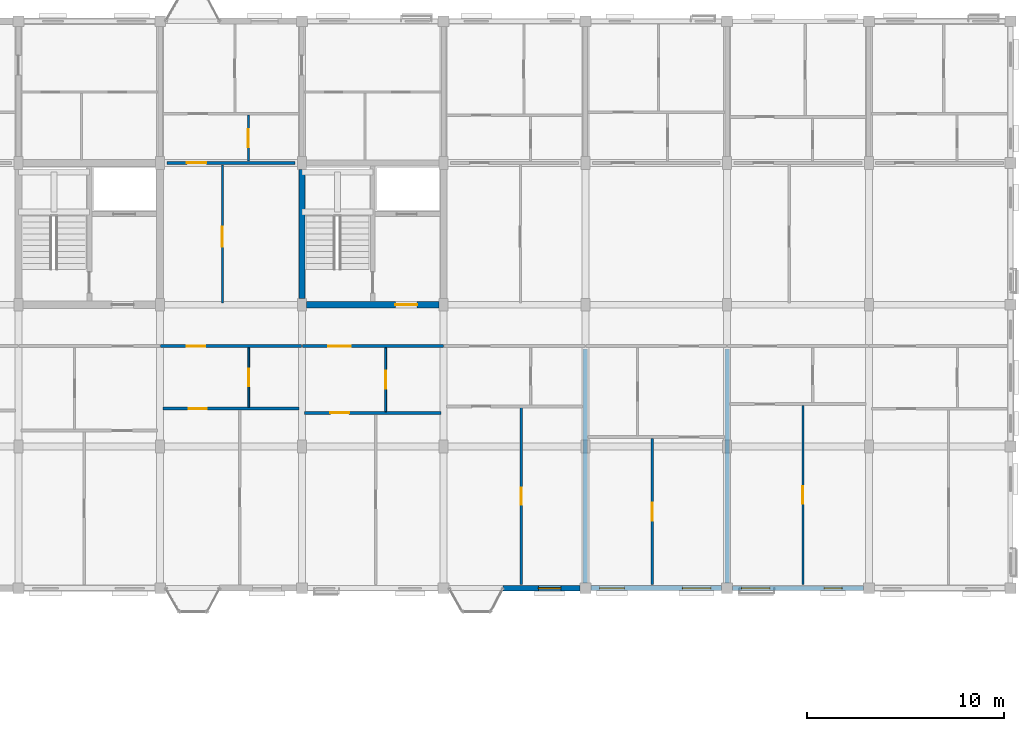
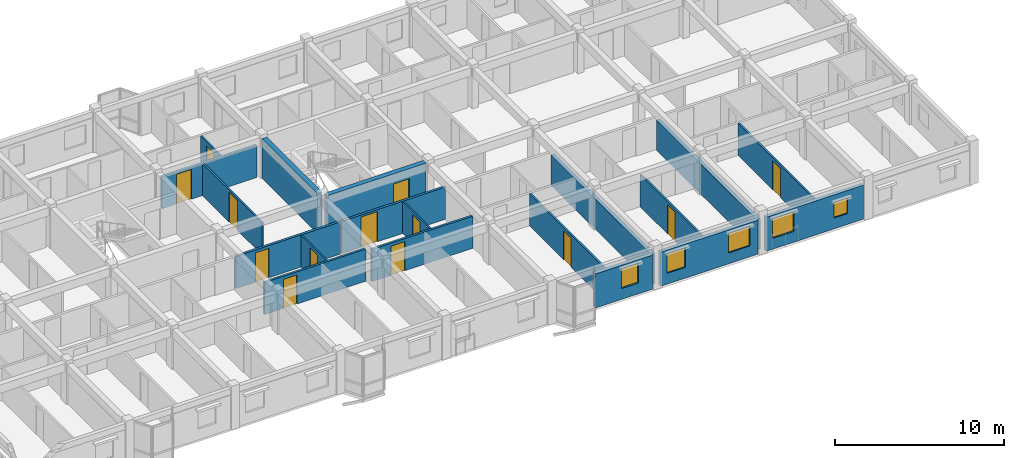
# One storey, part 62 of 75: 19 walls, 13 doors, 5 windows, 18 openings.
"""IFC4 building model written with IfcOpenShell, lengths in metres."""

import ifcopenshell
import ifcopenshell.guid

model = None  # the IFC model being written
_history = None  # IfcOwnerHistory: only IFC2X3 demands one
_inside = {}  # id of a spatial element -> (the spatial element, [elements in it])
_under = {}  # id of a project, library or spatial element -> (it, [spatial elements below it])
_declared = {}  # id of a project -> (the project, [libraries it declares])
_typed = {}  # id of a type object -> (the type object, [elements of that type])
_made_of = {}  # id of a material, layer set ... -> (it, [elements and type objects made of it])


def new_model(schema):
    """Start an empty IFC model of exactly this schema.

    Asked for "IFC4X3", IfcOpenShell would pick the latest addendum, in which some entities
    have other attributes; the version numbers below select the first issue.
    IFC2X3 requires an IfcOwnerHistory on every rooted entity: one is made here for all.
    """
    global model, _history
    if schema == "IFC4X3":
        model = ifcopenshell.file(schema_version=(4, 3, 0, 0))
    else:
        model = ifcopenshell.file(schema=schema)
    _inside.clear()
    _under.clear()
    _declared.clear()
    _typed.clear()
    _made_of.clear()
    _history = None
    if model.schema == "IFC2X3":
        org = make("IfcOrganization", Name="unknown")
        user = make(
            "IfcPersonAndOrganization",
            ThePerson=make("IfcPerson", FamilyName="unknown"),
            TheOrganization=org,
        )
        app = make(
            "IfcApplication",
            ApplicationDeveloper=org,
            Version="unknown",
            ApplicationFullName="unknown",
            ApplicationIdentifier="unknown",
        )
        _history = make(
            "IfcOwnerHistory",
            OwningUser=user,
            OwningApplication=app,
            ChangeAction="ADDED",
            CreationDate=0,
        )
    return model


def make(cls, **values):
    """One entity of the class cls with the attributes given. An attribute that is None is left unset."""
    return model.create_entity(
        cls, **{name: value for name, value in values.items() if value is not None}
    )


def rooted(cls, **values):
    """An entity with a GlobalId (a new one), such as an element, a storey or a relation."""
    return make(cls, GlobalId=ifcopenshell.guid.new(), OwnerHistory=_history, **values)


def si_unit(unit_type, name, prefix=None):
    """IfcSIUnit, for example si_unit("LENGTHUNIT", "METRE", prefix="MILLI")."""
    return make("IfcSIUnit", UnitType=unit_type, Prefix=prefix, Name=name)


def assignment(units):
    """IfcUnitAssignment: the units of a project."""
    return None if units is None else make("IfcUnitAssignment", Units=units)


def point(xyz):
    """IfcCartesianPoint."""
    return None if xyz is None else make("IfcCartesianPoint", Coordinates=xyz)


def direction(xyz):
    """IfcDirection."""
    return None if xyz is None else make("IfcDirection", DirectionRatios=xyz)


def frame(location, z_axis=None, x_axis=None):
    """IfcAxis2Placement3D, a coordinate frame: its origin and axes. An axis left out is left unset."""
    return make(
        "IfcAxis2Placement3D",
        Location=point(location),
        Axis=direction(z_axis),
        RefDirection=direction(x_axis),
    )


def frame_2d(location, x_axis=None):
    """IfcAxis2Placement2D, a coordinate frame in the plane: its origin and x axis."""
    return make(
        "IfcAxis2Placement2D", Location=point(location), RefDirection=direction(x_axis)
    )


def origin():
    """The frame at (0, 0, 0) with its axes left unset."""
    return frame((0.0, 0.0, 0.0))


def place(relative_to, where):
    """IfcLocalPlacement: puts the frame where relative to a parent placement (None: the world)."""
    return make(
        "IfcLocalPlacement", PlacementRelTo=relative_to, RelativePlacement=where
    )


def context(
    kind, dimensions, precision=None, world=None, true_north=None, identifier=None
):
    """IfcGeometricRepresentationContext, for example the 3D "Model" context."""
    return make(
        "IfcGeometricRepresentationContext",
        ContextIdentifier=identifier,
        ContextType=kind,
        CoordinateSpaceDimension=dimensions,
        Precision=precision,
        WorldCoordinateSystem=world,
        TrueNorth=true_north,
    )


def subcontext(parent, identifier, kind, view, scale=None):
    """IfcGeometricRepresentationSubContext, for example "Body" below "Model"."""
    return make(
        "IfcGeometricRepresentationSubContext",
        ContextIdentifier=identifier,
        ContextType=kind,
        ParentContext=parent,
        TargetScale=scale,
        TargetView=view,
    )


def project(units=None, contexts=None):
    """IfcProject with its units and contexts."""
    return rooted(
        "IfcProject",
        Name="project",
        RepresentationContexts=contexts,
        UnitsInContext=assignment(units),
    )


def spatial(cls, under=None, at=None, **own):
    """A site, building, storey or space (cls), placed at a placement, below another one or the project."""
    s = rooted(cls, ObjectPlacement=at, **own)
    if under is not None:
        _under.setdefault(under.id(), (under, []))[1].append(s)
    return s


def profile(cls, at=None, kind="AREA", **sizes):
    """A parametric profile (cls). Its sizes go by their IFC names, for example OverallWidth=200.0."""
    return make(cls, ProfileType=kind, Position=at, **sizes)


def rectangle(**sizes):
    """IfcRectangleProfileDef."""
    return profile("IfcRectangleProfileDef", **sizes)


def extrude(swept, where, along, depth):
    """IfcExtrudedAreaSolid: the profile swept, set in the frame where, extruded along a direction by depth."""
    return make(
        "IfcExtrudedAreaSolid",
        SweptArea=swept,
        Position=where,
        ExtrudedDirection=direction(along),
        Depth=depth,
    )


def shape(context_of_items, identifier, shape_type, items):
    """IfcShapeRepresentation: the items that make up one representation, for example the "Body"."""
    return make(
        "IfcShapeRepresentation",
        ContextOfItems=context_of_items,
        RepresentationIdentifier=identifier,
        RepresentationType=shape_type,
        Items=items,
    )


def material(Name=None, Category=None):
    """IfcMaterial."""
    return make("IfcMaterial", Name=Name, Category=Category)


def layer(
    of_material, thickness, ventilated=None, Name=None, Category=None, Priority=None
):
    """IfcMaterialLayer: one layer of a wall or slab, of a material (None: an air gap)."""
    return make(
        "IfcMaterialLayer",
        Material=of_material,
        LayerThickness=thickness,
        IsVentilated=ventilated,
        Name=Name,
        Category=Category,
        Priority=Priority,
    )


def layer_set(layers, Name=None):
    """IfcMaterialLayerSet."""
    return make("IfcMaterialLayerSet", MaterialLayers=layers, LayerSetName=Name)


def made_of(thing, what):
    """Note that an element or type object is made of a material, layer set ...; save() writes the relation."""
    if what is not None:
        _made_of.setdefault(what.id(), (what, []))[1].append(thing)
    return thing


def type_object(cls, material=None, **own):
    """A type object (cls), such as IfcWallType, which elements share."""
    return made_of(rooted(cls, **own), material)


def element(
    cls,
    number,
    at=None,
    inside=None,
    cuts=None,
    type_object=None,
    material=None,
    context=None,
    identifier="Body",
    shape_type=None,
    held_by="IfcProductDefinitionShape",
    body=None,
    shapes=None,
    **own,
):
    """One element of the class cls, such as IfcWall. Its Tag is "e" and its number.

    at: its placement. inside: the storey or other place that contains it. cuts: it is an
    opening in that element (IfcRelVoidsElement). A single representation is given by context,
    identifier, shape_type and body (its items); several are given by shapes. held_by: the class
    of the entity that holds the representations. save() writes the other relations.
    """
    e = rooted(cls, Tag="e%d" % number, ObjectPlacement=at, **own)
    if body is not None:
        shapes = [shape(context, identifier, shape_type, body)]
    if shapes is not None:
        e.Representation = make(held_by, Representations=shapes)
    if inside is not None:
        _inside.setdefault(inside.id(), (inside, []))[1].append(e)
    if cuts is not None:
        rooted(
            "IfcRelVoidsElement", RelatingBuildingElement=cuts, RelatedOpeningElement=e
        )
    if type_object is not None:
        _typed.setdefault(type_object.id(), (type_object, []))[1].append(e)
    return made_of(e, material)


def fill(opening, filler):
    """IfcRelFillsElement: the door or window that sits in an opening."""
    return rooted(
        "IfcRelFillsElement",
        RelatingOpeningElement=opening,
        RelatedBuildingElement=filler,
    )


def aggregate(whole, parts):
    """IfcRelAggregates: a whole, such as a stair, and the parts it consists of."""
    return rooted("IfcRelAggregates", RelatingObject=whole, RelatedObjects=parts)


def save(model, path):
    """Write the relations noted so far, then the file.

    IfcRelAggregates (storeys below a building ...), IfcRelContainedInSpatialStructure (elements
    in a storey), IfcRelDefinesByType, IfcRelAssociatesMaterial and IfcRelDeclares: one each for
    every whole, place, type object, material and project.
    """
    for whole, parts in _under.values():
        aggregate(whole, parts)
    for where, things in _inside.values():
        rooted(
            "IfcRelContainedInSpatialStructure",
            RelatedElements=things,
            RelatingStructure=where,
        )
    for kind, things in _typed.values():
        rooted("IfcRelDefinesByType", RelatedObjects=things, RelatingType=kind)
    for what, things in _made_of.values():
        rooted("IfcRelAssociatesMaterial", RelatedObjects=things, RelatingMaterial=what)
    for by, libraries in _declared.values():
        rooted("IfcRelDeclares", RelatingContext=by, RelatedDefinitions=libraries)
    model.write(path)


model = new_model("IFC4")

# Units and contexts
model_context = context("Model", 3, precision=1e-05, world=origin(), true_north=direction((0.0, 1.0)))
body_context = subcontext(model_context, "Body", "Model", "MODEL_VIEW")
ifc_project = project(units=[si_unit("LENGTHUNIT", "METRE"), si_unit("AREAUNIT", "SQUARE_METRE"), si_unit("VOLUMEUNIT", "CUBIC_METRE"), si_unit("PLANEANGLEUNIT", "RADIAN"), si_unit("MASSUNIT", "GRAM", prefix="KILO"), si_unit("THERMODYNAMICTEMPERATUREUNIT", "KELVIN"), si_unit("POWERUNIT", "WATT")], contexts=[model_context])

# Site, building, storey
site_placement = place(None, origin())
site = spatial("IfcSite", under=ifc_project, at=site_placement, CompositionType="ELEMENT")
building_placement = place(site_placement, origin())
building = spatial("IfcBuilding", under=site, at=building_placement, Name="Tavuni Mirador Residences", CompositionType="ELEMENT")
storey_placement = place(building_placement, frame((0.0, 0.0, 20.25)))
storey = spatial("IfcBuildingStorey", under=building, at=storey_placement, Name="L06", CompositionType="ELEMENT", Elevation=20.25)

# Wall
ifc_material_1 = material(Name="Precast concrete C40/50", Category="concrete")
ifc_layer_1 = layer(ifc_material_1, 0.320068359375, Name="Precast concrete C40/50", Category="concrete")
ifc_layer_set_1 = layer_set([ifc_layer_1], Name="Precast concrete C40/50")
wall_type_1 = type_object("IfcWallType", Name="WT-COR320", PredefinedType="SHEAR", material=ifc_layer_set_1)
wall_1_placement = place(storey_placement, frame((39.60009765625, 158.72509765625, 0.0), z_axis=(0.0, 0.0, 1.0), x_axis=(0.0, 1.0, 0.0)))
element("IfcWall", 1, at=wall_1_placement, inside=storey, type_object=wall_type_1, Name="CWALL-C6-L06-W", PredefinedType="SHEAR", context=body_context, shape_type="SweptSolid", body=[
    extrude(rectangle(XDim=6.5498046875, YDim=0.320068359375, at=frame_2d((3.27490234375, 0.0))), origin(), (0.0, 0.0, 1.0), 2.885009765625),
])

# Wall, opening, door
wall_2_placement = place(storey_placement, frame((39.824951171875, 158.39990234375, 0.0), z_axis=(0.0, 0.0, 1.0), x_axis=(1.0, 0.0, 0.0)))
wall_2 = element("IfcWall", 2, at=wall_2_placement, inside=storey, type_object=wall_type_1, Name="CWALL-C6-L06-SS", PredefinedType="SHEAR", context=body_context, shape_type="SweptSolid", body=[
    extrude(rectangle(XDim=6.75, YDim=0.320068359375, at=frame_2d((3.375, 0.0))), origin(), (0.0, 0.0, 1.0), 2.885009765625),
])
opening_1_placement = place(wall_2_placement, frame((4.52490234375, 0.0, 0.0)))
opening_1 = element("IfcOpeningElement", 3, at=opening_1_placement, cuts=wall_2, Name="Opening D-02", PredefinedType="OPENING", context=body_context, shape_type="SweptSolid", body=[
    extrude(rectangle(XDim=1.10009765625, YDim=2.14990234375, at=frame_2d((0.550048828125, 1.074951171875))), frame((0.0, 0.169921875, 0.0), z_axis=(0.0, -1.0, 0.0), x_axis=(1.0, 0.0, 0.0)), (0.0, 0.0, 1.0), 0.340087890625),
])
ifc_material_2 = material(Name="Solid core iroko timber", Category="wood")
door_type_1 = type_object("IfcDoorType", Name="DT-LOB1100", OperationType="NOTDEFINED", PredefinedType="DOOR", material=ifc_material_2)
door_1_placement = place(opening_1_placement, frame((1.10009765625, 0.0, 0.0), z_axis=(0.0, 0.0, 1.0), x_axis=(-1.0, 0.0, 0.0)))
door_1 = element("IfcDoor", 4, at=door_1_placement, inside=storey, type_object=door_type_1, Name="DR-2237", OperationType="SINGLE_SWING_LEFT", OverallHeight=2.14990234375, OverallWidth=1.10009765625, PredefinedType="DOOR", context=body_context, shape_type="SweptSolid", body=[
    extrude(rectangle(XDim=1.10009765625, YDim=2.14990234375, at=frame_2d((0.550048828125, 1.074951171875))), frame((0.0, 0.02490234375, 0.0), z_axis=(0.0, -1.0, 0.0), x_axis=(1.0, 0.0, 0.0)), (0.0, 0.0, 1.0), 0.050048828125),
])
fill(opening_1, door_1)

ifc_layer_2 = layer(ifc_material_1, 0.1650390625, Name="Precast concrete C40/50", Category="concrete")
ifc_layer_set_2 = layer_set([ifc_layer_2], Name="Precast concrete C40/50")
wall_type_2 = type_object("IfcWallType", Name="WT-CORR165", PredefinedType="PARTITIONING", material=ifc_layer_set_2)
wall_3_placement = place(storey_placement, frame((32.419921875, 156.300048828125, 0.0), z_axis=(0.0, 0.0, 1.0), x_axis=(1.0, 0.0, 0.0)))
wall_3 = element("IfcWall", 5, at=wall_3_placement, inside=storey, type_object=wall_type_2, Name="CORW-BLK-C-L06-0-03", PredefinedType="PARTITIONING", context=body_context, shape_type="SweptSolid", body=[
    extrude(rectangle(XDim=7.16015625, YDim=0.1650390625, at=frame_2d((3.580078125, 0.0))), origin(), (0.0, 0.0, 1.0), 2.320068359375),
])
opening_2_placement = place(wall_3_placement, frame((1.330078125, 0.0, 0.0)))
opening_2 = element("IfcOpeningElement", 6, at=opening_2_placement, cuts=wall_3, Name="Opening D-19", PredefinedType="OPENING", context=body_context, shape_type="SweptSolid", body=[
    extrude(rectangle(XDim=0.93994140625, YDim=2.1201171875, at=frame_2d((0.469970703125, 1.06005859375))), frame((0.0, 0.092529296875, 0.0), z_axis=(0.0, -1.0, 0.0), x_axis=(1.0, 0.0, 0.0)), (0.0, 0.0, 1.0), 0.18505859375),
])
door_type_2 = type_object("IfcDoorType", Name="DT-FD60-940", OperationType="NOTDEFINED", PredefinedType="DOOR", material=ifc_material_2)
door_2_placement = place(opening_2_placement, origin())
door_2 = element("IfcDoor", 7, at=door_2_placement, inside=storey, type_object=door_type_2, Name="DR-2710", OperationType="SINGLE_SWING_LEFT", OverallHeight=2.1201171875, OverallWidth=0.93994140625, PredefinedType="DOOR", context=body_context, shape_type="SweptSolid", body=[
    extrude(rectangle(XDim=0.93994140625, YDim=2.1201171875, at=frame_2d((0.469970703125, 1.06005859375))), frame((0.0, 0.02490234375, 0.0), z_axis=(0.0, -1.0, 0.0), x_axis=(1.0, 0.0, 0.0)), (0.0, 0.0, 1.0), 0.050048828125),
])
fill(opening_2, door_2)

wall_4_placement = place(storey_placement, frame((39.6201171875, 156.300048828125, 0.0), z_axis=(0.0, 0.0, 1.0), x_axis=(1.0, 0.0, 0.0)))
wall_4 = element("IfcWall", 8, at=wall_4_placement, inside=storey, type_object=wall_type_2, Name="CORW-BLK-C-L06-0-04", PredefinedType="PARTITIONING", context=body_context, shape_type="SweptSolid", body=[
    extrude(rectangle(XDim=7.159912109375, YDim=0.1650390625, at=frame_2d((3.580078125, 0.0))), origin(), (0.0, 0.0, 1.0), 2.320068359375),
])
opening_3_placement = place(wall_4_placement, frame((1.330078125, 0.0, 0.0)))
opening_3 = element("IfcOpeningElement", 9, at=opening_3_placement, cuts=wall_4, Name="Opening D-20", PredefinedType="OPENING", context=body_context, shape_type="SweptSolid", body=[
    extrude(rectangle(XDim=1.139892578125, YDim=2.179931640625, at=frame_2d((0.56982421875, 1.08984375))), frame((0.0, 0.092529296875, 0.0), z_axis=(0.0, -1.0, 0.0), x_axis=(1.0, 0.0, 0.0)), (0.0, 0.0, 1.0), 0.18505859375),
])
door_type_3 = type_object("IfcDoorType", Name="DT-FD60-1140", OperationType="NOTDEFINED", PredefinedType="DOOR", material=ifc_material_2)
door_3_placement = place(opening_3_placement, origin())
door_3 = element("IfcDoor", 10, at=door_3_placement, inside=storey, type_object=door_type_3, Name="DR-2711", OperationType="SINGLE_SWING_RIGHT", OverallHeight=2.179931640625, OverallWidth=1.139892578125, PredefinedType="DOOR", context=body_context, shape_type="SweptSolid", body=[
    extrude(rectangle(XDim=1.139892578125, YDim=2.179931640625, at=frame_2d((0.56982421875, 1.08984375))), frame((0.0, 0.02490234375, 0.0), z_axis=(0.0, -1.0, 0.0), x_axis=(1.0, 0.0, 0.0)), (0.0, 0.0, 1.0), 0.050048828125),
])
fill(opening_3, door_3)

wall_5_placement = place(storey_placement, frame((32.75, 165.60009765625, 0.0), z_axis=(0.0, 0.0, 1.0), x_axis=(1.0, 0.0, 0.0)))
wall_5 = element("IfcWall", 11, at=wall_5_placement, inside=storey, type_object=wall_type_2, Name="CORW-BLK-C-L06-1-03", PredefinedType="PARTITIONING", context=body_context, shape_type="SweptSolid", body=[
    extrude(rectangle(XDim=6.5, YDim=0.1650390625, at=frame_2d((3.25, 0.0))), origin(), (0.0, 0.0, 1.0), 2.320068359375),
])
opening_4_placement = place(wall_5_placement, frame((1.0, 0.0, 0.0)))
opening_4 = element("IfcOpeningElement", 12, at=opening_4_placement, cuts=wall_5, Name="Opening D-03", PredefinedType="OPENING", context=body_context, shape_type="SweptSolid", body=[
    extrude(rectangle(XDim=1.0, YDim=2.14990234375, at=frame_2d((0.5, 1.074951171875))), frame((0.0, 0.092529296875, 0.0), z_axis=(0.0, -1.0, 0.0), x_axis=(1.0, 0.0, 0.0)), (0.0, 0.0, 1.0), 0.18505859375),
])
door_type_4 = type_object("IfcDoorType", Name="DT-FD60-1000", OperationType="NOTDEFINED", PredefinedType="DOOR", material=ifc_material_2)
door_4_placement = place(opening_4_placement, origin())
door_4 = element("IfcDoor", 13, at=door_4_placement, inside=storey, type_object=door_type_4, Name="DR-2718", OperationType="SINGLE_SWING_LEFT", OverallHeight=2.14990234375, OverallWidth=1.0, PredefinedType="DOOR", context=body_context, shape_type="SweptSolid", body=[
    extrude(rectangle(XDim=1.0, YDim=2.14990234375, at=frame_2d((0.5, 1.074951171875))), frame((0.0, 0.02490234375, 0.0), z_axis=(0.0, -1.0, 0.0), x_axis=(1.0, 0.0, 0.0)), (0.0, 0.0, 1.0), 0.050048828125),
])
fill(opening_4, door_4)

# Wall, openings, windows
ifc_material_3 = material(Name="Sgraffito lime-rendered precast concrete C40/50", Category="concrete")
ifc_layer_3 = layer(ifc_material_3, 0.2451171875, Name="Sgraffito lime-rendered precast concrete C40/50", Category="concrete")
ifc_layer_set_3 = layer_set([ifc_layer_3], Name="Sgraffito lime-rendered precast concrete C40/50")
wall_type_3 = type_object("IfcWallType", Name="WT-EXT-PC245", PredefinedType="SOLIDWALL", material=ifc_layer_set_3)
wall_6_placement = place(storey_placement, frame((61.47509765625, 144.0, 0.0), z_axis=(0.0, 0.0, 1.0), x_axis=(1.0, 0.0, 0.0)))
wall_6 = element("IfcWall", 14, at=wall_6_placement, inside=storey, type_object=wall_type_3, Name="EW-BLK-C-L06-S07", PredefinedType="SOLIDWALL", context=body_context, shape_type="SweptSolid", body=[
    extrude(rectangle(XDim=6.64990234375, YDim=0.2451171875, at=frame_2d((3.324951171875, 0.0))), origin(), (0.0, 0.0, 1.0), 2.455078125),
])
opening_5_placement = place(wall_6_placement, frame((0.449951171875, 0.0, 0.780029296875)))
opening_5 = element("IfcOpeningElement", 15, at=opening_5_placement, cuts=wall_6, Name="Opening WN-30", PredefinedType="OPENING", context=body_context, shape_type="SweptSolid", body=[
    extrude(rectangle(XDim=1.449951171875, YDim=1.43994140625, at=frame_2d((0.72509765625, 0.719970703125))), frame((0.0, 0.132568359375, 0.0), z_axis=(0.0, -1.0, 0.0), x_axis=(1.0, 0.0, 0.0)), (0.0, 0.0, 1.0), 0.26513671875),
])
opening_6_placement = place(wall_6_placement, frame((4.64990234375, 0.0, 0.780029296875)))
opening_6 = element("IfcOpeningElement", 16, at=opening_6_placement, cuts=wall_6, Name="Opening WN-02", PredefinedType="OPENING", context=body_context, shape_type="SweptSolid", body=[
    extrude(rectangle(XDim=0.919921875, YDim=1.14990234375, at=frame_2d((0.4599609375, 0.574951171875))), frame((0.0, 0.132568359375, 0.0), z_axis=(0.0, -1.0, 0.0), x_axis=(1.0, 0.0, 0.0)), (0.0, 0.0, 1.0), 0.26513671875),
])
ifc_material_4 = material(Name="Laminated solar-control glass", Category="glass")
window_type_1 = type_object("IfcWindowType", Name="WNT-02", PartitioningType="SINGLE_PANEL", PredefinedType="WINDOW", material=ifc_material_4)
window_1_placement = place(opening_6_placement, origin())
window_1 = element("IfcWindow", 17, at=window_1_placement, inside=storey, type_object=window_type_1, Name="WIN-1104", OverallHeight=1.14990234375, OverallWidth=0.919921875, PartitioningType="SINGLE_PANEL", PredefinedType="WINDOW", context=body_context, shape_type="SweptSolid", body=[
    extrude(rectangle(XDim=0.919921875, YDim=1.14990234375, at=frame_2d((0.4599609375, 0.574951171875))), frame((0.0, 0.030029296875, 0.0), z_axis=(0.0, -1.0, 0.0), x_axis=(1.0, 0.0, 0.0)), (0.0, 0.0, 1.0), 0.06005859375),
])
fill(opening_6, window_1)
window_type_2 = type_object("IfcWindowType", Name="WNT-30", PartitioningType="SINGLE_PANEL", PredefinedType="WINDOW", material=ifc_material_4)
window_2_placement = place(opening_5_placement, origin())
window_2 = element("IfcWindow", 18, at=window_2_placement, inside=storey, type_object=window_type_2, Name="WIN-1103", OverallHeight=1.43994140625, OverallWidth=1.449951171875, PartitioningType="SINGLE_PANEL", PredefinedType="WINDOW", context=body_context, shape_type="SweptSolid", body=[
    extrude(rectangle(XDim=1.449951171875, YDim=1.43994140625, at=frame_2d((0.72509765625, 0.719970703125))), frame((0.0, 0.030029296875, 0.0), z_axis=(0.0, -1.0, 0.0), x_axis=(1.0, 0.0, 0.0)), (0.0, 0.0, 1.0), 0.06005859375),
])
fill(opening_5, window_2)

ifc_layer_4 = layer(ifc_material_3, 0.2548828125, Name="Sgraffito lime-rendered precast concrete C40/50", Category="concrete")
ifc_layer_set_4 = layer_set([ifc_layer_4], Name="Sgraffito lime-rendered precast concrete C40/50")
wall_type_4 = type_object("IfcWallType", Name="WT-EXT-PC255", PredefinedType="SOLIDWALL", material=ifc_layer_set_4)
wall_7_placement = place(storey_placement, frame((54.27490234375, 144.0, 0.0), z_axis=(0.0, 0.0, 1.0), x_axis=(1.0, 0.0, 0.0)))
wall_7 = element("IfcWall", 19, at=wall_7_placement, inside=storey, type_object=wall_type_4, Name="EW-BLK-C-L06-S06", PredefinedType="SOLIDWALL", context=body_context, shape_type="SweptSolid", body=[
    extrude(rectangle(XDim=6.650146484375, YDim=0.2548828125, at=frame_2d((3.3251953125, 0.0))), origin(), (0.0, 0.0, 1.0), 2.455078125),
])
opening_7_placement = place(wall_7_placement, frame((0.449951171875, 0.0, 0.780029296875)))
opening_7 = element("IfcOpeningElement", 20, at=opening_7_placement, cuts=wall_7, Name="Opening WN-28", PredefinedType="OPENING", context=body_context, shape_type="SweptSolid", body=[
    extrude(rectangle(XDim=1.25, YDim=1.43994140625, at=frame_2d((0.625, 0.719970703125))), frame((0.0, 0.137451171875, 0.0), z_axis=(0.0, -1.0, 0.0), x_axis=(1.0, 0.0, 0.0)), (0.0, 0.0, 1.0), 0.27490234375),
])
opening_8_placement = place(wall_7_placement, frame((4.64990234375, 0.0, 0.780029296875)))
opening_8 = element("IfcOpeningElement", 21, at=opening_8_placement, cuts=wall_7, Name="Opening WN-30", PredefinedType="OPENING", context=body_context, shape_type="SweptSolid", body=[
    extrude(rectangle(XDim=1.449951171875, YDim=1.43994140625, at=frame_2d((0.72509765625, 0.719970703125))), frame((0.0, 0.137451171875, 0.0), z_axis=(0.0, -1.0, 0.0), x_axis=(1.0, 0.0, 0.0)), (0.0, 0.0, 1.0), 0.27490234375),
])
window_type_3 = type_object("IfcWindowType", Name="WNT-28", PartitioningType="SINGLE_PANEL", PredefinedType="WINDOW", material=ifc_material_4)
window_3_placement = place(opening_7_placement, origin())
window_3 = element("IfcWindow", 22, at=window_3_placement, inside=storey, type_object=window_type_3, Name="WIN-1101", OverallHeight=1.43994140625, OverallWidth=1.25, PartitioningType="SINGLE_PANEL", PredefinedType="WINDOW", context=body_context, shape_type="SweptSolid", body=[
    extrude(rectangle(XDim=1.25, YDim=1.43994140625, at=frame_2d((0.625, 0.719970703125))), frame((0.0, 0.030029296875, 0.0), z_axis=(0.0, -1.0, 0.0), x_axis=(1.0, 0.0, 0.0)), (0.0, 0.0, 1.0), 0.06005859375),
])
fill(opening_7, window_3)
window_4_placement = place(opening_8_placement, origin())
window_4 = element("IfcWindow", 23, at=window_4_placement, inside=storey, type_object=window_type_2, Name="WIN-1102", OverallHeight=1.43994140625, OverallWidth=1.449951171875, PartitioningType="SINGLE_PANEL", PredefinedType="WINDOW", context=body_context, shape_type="SweptSolid", body=[
    extrude(rectangle(XDim=1.449951171875, YDim=1.43994140625, at=frame_2d((0.72509765625, 0.719970703125))), frame((0.0, 0.030029296875, 0.0), z_axis=(0.0, -1.0, 0.0), x_axis=(1.0, 0.0, 0.0)), (0.0, 0.0, 1.0), 0.06005859375),
])
fill(opening_8, window_4)

# Wall, opening, window
ifc_layer_5 = layer(ifc_material_3, 0.27490234375, Name="Sgraffito lime-rendered precast concrete C40/50", Category="concrete")
ifc_layer_set_5 = layer_set([ifc_layer_5], Name="Sgraffito lime-rendered precast concrete C40/50")
wall_type_5 = type_object("IfcWallType", Name="WT-EXT-PC275", PredefinedType="SOLIDWALL", material=ifc_layer_set_5)
wall_8_placement = place(storey_placement, frame((49.820068359375, 144.0, 0.0), z_axis=(0.0, 0.0, 1.0), x_axis=(1.0, 0.0, 0.0)))
wall_8 = element("IfcWall", 24, at=wall_8_placement, inside=storey, type_object=wall_type_5, Name="EW-BLK-C-L06-S05", PredefinedType="SOLIDWALL", context=body_context, shape_type="SweptSolid", body=[
    extrude(rectangle(XDim=3.905029296875, YDim=0.27490234375, at=frame_2d((1.95263671875, 0.0))), origin(), (0.0, 0.0, 1.0), 2.455078125),
])
opening_9_placement = place(wall_8_placement, frame((1.78759765625, 0.0, 0.780029296875)))
opening_9 = element("IfcOpeningElement", 25, at=opening_9_placement, cuts=wall_8, Name="Opening WN-27", PredefinedType="OPENING", context=body_context, shape_type="SweptSolid", body=[
    extrude(rectangle(XDim=1.14990234375, YDim=1.43994140625, at=frame_2d((0.574951171875, 0.719970703125))), frame((0.0, 0.1474609375, 0.0), z_axis=(0.0, -1.0, 0.0), x_axis=(1.0, 0.0, 0.0)), (0.0, 0.0, 1.0), 0.294921875),
])
window_type_4 = type_object("IfcWindowType", Name="WNT-27", PartitioningType="SINGLE_PANEL", PredefinedType="WINDOW", material=ifc_material_4)
window_5_placement = place(opening_9_placement, origin())
window_5 = element("IfcWindow", 26, at=window_5_placement, inside=storey, type_object=window_type_4, Name="WIN-1100", OverallHeight=1.43994140625, OverallWidth=1.14990234375, PartitioningType="SINGLE_PANEL", PredefinedType="WINDOW", context=body_context, shape_type="SweptSolid", body=[
    extrude(rectangle(XDim=1.14990234375, YDim=1.43994140625, at=frame_2d((0.574951171875, 0.719970703125))), frame((0.0, 0.030029296875, 0.0), z_axis=(0.0, -1.0, 0.0), x_axis=(1.0, 0.0, 0.0)), (0.0, 0.0, 1.0), 0.06005859375),
])
fill(opening_9, window_5)

# Wall, opening, door
ifc_material_5 = material(Name="Acoustic gypsum and concrete block partition", Category="concrete")
ifc_layer_6 = layer(ifc_material_5, 0.094970703125, Name="Acoustic gypsum and concrete block partition", Category="concrete")
ifc_layer_set_6 = layer_set([ifc_layer_6], Name="Acoustic gypsum and concrete block partition")
wall_type_6 = type_object("IfcWallType", Name="WT-PART095", PredefinedType="PARTITIONING", material=ifc_layer_set_6)
wall_9_placement = place(storey_placement, frame((36.89990234375, 153.18994140625, 0.0), z_axis=(0.0, 0.0, 1.0), x_axis=(0.0, 1.0, 0.0)))
wall_9 = element("IfcWall", 27, at=wall_9_placement, inside=storey, type_object=wall_type_6, Name="PW-BLK-C-L06-S03-IN1", PredefinedType="PARTITIONING", context=body_context, shape_type="SweptSolid", body=[
    extrude(rectangle(XDim=3.02001953125, YDim=0.094970703125, at=frame_2d((1.510009765625, 0.0))), origin(), (0.0, 0.0, 1.0), 2.320068359375),
])
opening_10_placement = place(wall_9_placement, frame((1.074951171875, 0.0, 0.0)))
opening_10 = element("IfcOpeningElement", 28, at=opening_10_placement, cuts=wall_9, Name="Opening D-10", PredefinedType="OPENING", context=body_context, shape_type="SweptSolid", body=[
    extrude(rectangle(XDim=0.8701171875, YDim=2.050048828125, at=frame_2d((0.43505859375, 1.02490234375))), frame((0.0, 0.0576171875, 0.0), z_axis=(0.0, -1.0, 0.0), x_axis=(1.0, 0.0, 0.0)), (0.0, 0.0, 1.0), 0.114990234375),
])
door_type_5 = type_object("IfcDoorType", Name="DT-WC870", OperationType="NOTDEFINED", PredefinedType="DOOR", material=ifc_material_2)
door_5_placement = place(opening_10_placement, origin())
door_5 = element("IfcDoor", 29, at=door_5_placement, inside=storey, type_object=door_type_5, Name="DR-3981", OperationType="SINGLE_SWING_RIGHT", OverallHeight=2.050048828125, OverallWidth=0.8701171875, PredefinedType="DOOR", context=body_context, shape_type="SweptSolid", body=[
    extrude(rectangle(XDim=0.8701171875, YDim=2.050048828125, at=frame_2d((0.43505859375, 1.02490234375))), frame((0.0, 0.02490234375, 0.0), z_axis=(0.0, -1.0, 0.0), x_axis=(1.0, 0.0, 0.0)), (0.0, 0.0, 1.0), 0.050048828125),
])
fill(opening_10, door_5)

wall_10_placement = place(storey_placement, frame((43.85009765625, 152.969970703125, 0.0), z_axis=(0.0, 0.0, 1.0), x_axis=(0.0, 1.0, 0.0)))
wall_10 = element("IfcWall", 30, at=wall_10_placement, inside=storey, type_object=wall_type_6, Name="PW-BLK-C-L06-S04-IN1", PredefinedType="PARTITIONING", context=body_context, shape_type="SweptSolid", body=[
    extrude(rectangle(XDim=3.239990234375, YDim=0.094970703125, at=frame_2d((1.6201171875, 0.0))), origin(), (0.0, 0.0, 1.0), 2.320068359375),
])
opening_11_placement = place(wall_10_placement, frame((1.169921875, 0.0, 0.0)))
opening_11 = element("IfcOpeningElement", 31, at=opening_11_placement, cuts=wall_10, Name="Opening D-09", PredefinedType="OPENING", context=body_context, shape_type="SweptSolid", body=[
    extrude(rectangle(XDim=0.89990234375, YDim=2.050048828125, at=frame_2d((0.449951171875, 1.02490234375))), frame((0.0, 0.0576171875, 0.0), z_axis=(0.0, -1.0, 0.0), x_axis=(1.0, 0.0, 0.0)), (0.0, 0.0, 1.0), 0.114990234375),
])
door_type_6 = type_object("IfcDoorType", Name="DT-WC900", OperationType="NOTDEFINED", PredefinedType="DOOR", material=ifc_material_2)
door_6_placement = place(opening_11_placement, origin())
door_6 = element("IfcDoor", 32, at=door_6_placement, inside=storey, type_object=door_type_6, Name="DR-3987", OperationType="SINGLE_SWING_LEFT", OverallHeight=2.050048828125, OverallWidth=0.89990234375, PredefinedType="DOOR", context=body_context, shape_type="SweptSolid", body=[
    extrude(rectangle(XDim=0.89990234375, YDim=2.050048828125, at=frame_2d((0.449951171875, 1.02490234375))), frame((0.0, 0.02490234375, 0.0), z_axis=(0.0, -1.0, 0.0), x_axis=(1.0, 0.0, 0.0)), (0.0, 0.0, 1.0), 0.050048828125),
])
fill(opening_11, door_6)

ifc_layer_7 = layer(ifc_material_5, 0.10498046875, Name="Acoustic gypsum and concrete block partition", Category="concrete")
ifc_layer_set_7 = layer_set([ifc_layer_7], Name="Acoustic gypsum and concrete block partition")
wall_type_7 = type_object("IfcWallType", Name="WT-PART105", PredefinedType="PARTITIONING", material=ifc_layer_set_7)
wall_11_placement = place(storey_placement, frame((36.8798828125, 165.68994140625, 0.0), z_axis=(0.0, 0.0, 1.0), x_axis=(0.0, 1.0, 0.0)))
wall_11 = element("IfcWall", 33, at=wall_11_placement, inside=storey, type_object=wall_type_7, Name="PW-BLK-C-L06-N03-IN1", PredefinedType="PARTITIONING", context=body_context, shape_type="SweptSolid", body=[
    extrude(rectangle(XDim=2.340087890625, YDim=0.10498046875, at=frame_2d((1.169921875, 0.0))), origin(), (0.0, 0.0, 1.0), 2.320068359375),
])
opening_12_placement = place(wall_11_placement, frame((0.719970703125, 0.0, 0.0)))
opening_12 = element("IfcOpeningElement", 34, at=opening_12_placement, cuts=wall_11, Name="Opening D-09", PredefinedType="OPENING", context=body_context, shape_type="SweptSolid", body=[
    extrude(rectangle(XDim=0.89990234375, YDim=2.050048828125, at=frame_2d((0.449951171875, 1.02490234375))), frame((0.0, 0.0625, 0.0), z_axis=(0.0, -1.0, 0.0), x_axis=(1.0, 0.0, 0.0)), (0.0, 0.0, 1.0), 0.125),
])
door_7_placement = place(opening_12_placement, origin())
door_7 = element("IfcDoor", 35, at=door_7_placement, inside=storey, type_object=door_type_6, Name="DR-3984", OperationType="SINGLE_SWING_LEFT", OverallHeight=2.050048828125, OverallWidth=0.89990234375, PredefinedType="DOOR", context=body_context, shape_type="SweptSolid", body=[
    extrude(rectangle(XDim=0.89990234375, YDim=2.050048828125, at=frame_2d((0.449951171875, 1.02490234375))), frame((0.0, 0.02490234375, 0.0), z_axis=(0.0, -1.0, 0.0), x_axis=(1.0, 0.0, 0.0)), (0.0, 0.0, 1.0), 0.050048828125),
])
fill(opening_12, door_7)

ifc_layer_8 = layer(ifc_material_5, 0.114990234375, Name="Acoustic gypsum and concrete block partition", Category="concrete")
ifc_layer_set_8 = layer_set([ifc_layer_8], Name="Acoustic gypsum and concrete block partition")
wall_type_8 = type_object("IfcWallType", Name="WT-PART115", PredefinedType="PARTITIONING", material=ifc_layer_set_8)
wall_12_placement = place(storey_placement, frame((35.56005859375, 158.489990234375, 0.0), z_axis=(0.0, 0.0, 1.0), x_axis=(0.0, 1.0, 0.0)))
wall_12 = element("IfcWall", 36, at=wall_12_placement, inside=storey, type_object=wall_type_8, Name="PW-SPN-BLK-C-L06-03", PredefinedType="PARTITIONING", context=body_context, shape_type="SweptSolid", body=[
    extrude(rectangle(XDim=7.02001953125, YDim=0.114990234375, at=frame_2d((3.510009765625, 0.0))), origin(), (0.0, 0.0, 1.0), 2.320068359375),
])
opening_13_placement = place(wall_12_placement, frame((2.85009765625, 0.0, 0.0)))
opening_13 = element("IfcOpeningElement", 37, at=opening_13_placement, cuts=wall_12, Name="Opening D-13", PredefinedType="OPENING", context=body_context, shape_type="SweptSolid", body=[
    extrude(rectangle(XDim=1.02001953125, YDim=2.14990234375, at=frame_2d((0.510009765625, 1.074951171875))), frame((0.0, 0.0673828125, 0.0), z_axis=(0.0, -1.0, 0.0), x_axis=(1.0, 0.0, 0.0)), (0.0, 0.0, 1.0), 0.135009765625),
])
door_type_7 = type_object("IfcDoorType", Name="DT-MTG1020", OperationType="NOTDEFINED", PredefinedType="DOOR", material=ifc_material_2)
door_8_placement = place(opening_13_placement, origin())
door_8 = element("IfcDoor", 38, at=door_8_placement, inside=storey, type_object=door_type_7, Name="DR-3979", OperationType="SINGLE_SWING_RIGHT", OverallHeight=2.14990234375, OverallWidth=1.02001953125, PredefinedType="DOOR", context=body_context, shape_type="SweptSolid", body=[
    extrude(rectangle(XDim=1.02001953125, YDim=2.14990234375, at=frame_2d((0.510009765625, 1.074951171875))), frame((0.0, 0.02490234375, 0.0), z_axis=(0.0, -1.0, 0.0), x_axis=(1.0, 0.0, 0.0)), (0.0, 0.0, 1.0), 0.050048828125),
])
fill(opening_13, door_8)

wall_13_placement = place(storey_placement, frame((65.050048828125, 144.175048828125, 0.0), z_axis=(0.0, 0.0, 1.0), x_axis=(0.0, 1.0, 0.0)))
wall_13 = element("IfcWall", 39, at=wall_13_placement, inside=storey, type_object=wall_type_8, Name="PW-BLK-C-L06-S07-OUT", PredefinedType="PARTITIONING", context=body_context, shape_type="SweptSolid", body=[
    extrude(rectangle(XDim=9.10498046875, YDim=0.114990234375, at=frame_2d((4.552490234375, 0.0))), origin(), (0.0, 0.0, 1.0), 2.320068359375),
])
opening_14_placement = place(wall_13_placement, frame((4.1025390625, 0.0, 0.0)))
opening_14 = element("IfcOpeningElement", 40, at=opening_14_placement, cuts=wall_13, Name="Opening D-07", PredefinedType="OPENING", context=body_context, shape_type="SweptSolid", body=[
    extrude(rectangle(XDim=0.89990234375, YDim=2.10009765625, at=frame_2d((0.449951171875, 1.050048828125))), frame((0.0, 0.0673828125, 0.0), z_axis=(0.0, -1.0, 0.0), x_axis=(1.0, 0.0, 0.0)), (0.0, 0.0, 1.0), 0.135009765625),
])
door_type_8 = type_object("IfcDoorType", Name="DT-BED900", OperationType="NOTDEFINED", PredefinedType="DOOR", material=ifc_material_2)
door_9_placement = place(opening_14_placement, origin())
door_9 = element("IfcDoor", 41, at=door_9_placement, inside=storey, type_object=door_type_8, Name="DR-4005", OperationType="SINGLE_SWING_RIGHT", OverallHeight=2.10009765625, OverallWidth=0.89990234375, PredefinedType="DOOR", context=body_context, shape_type="SweptSolid", body=[
    extrude(rectangle(XDim=0.89990234375, YDim=2.10009765625, at=frame_2d((0.449951171875, 1.050048828125))), frame((0.0, 0.02490234375, 0.0), z_axis=(0.0, -1.0, 0.0), x_axis=(1.0, 0.0, 0.0)), (0.0, 0.0, 1.0), 0.050048828125),
])
fill(opening_14, door_9)

ifc_layer_9 = layer(ifc_material_5, 0.125, Name="Acoustic gypsum and concrete block partition", Category="concrete")
ifc_layer_set_9 = layer_set([ifc_layer_9], Name="Acoustic gypsum and concrete block partition")
wall_type_9 = type_object("IfcWallType", Name="WT-PART125", PredefinedType="PARTITIONING", material=ifc_layer_set_9)
wall_14_placement = place(storey_placement, frame((50.75, 144.175048828125, 0.0), z_axis=(0.0, 0.0, 1.0), x_axis=(0.0, 1.0, 0.0)))
wall_14 = element("IfcWall", 42, at=wall_14_placement, inside=storey, type_object=wall_type_9, Name="PW-BLK-C-L06-S05-OUT", PredefinedType="PARTITIONING", context=body_context, shape_type="SweptSolid", body=[
    extrude(rectangle(XDim=8.994873046875, YDim=0.125, at=frame_2d((4.49755859375, 0.0))), origin(), (0.0, 0.0, 1.0), 2.320068359375),
])
opening_15_placement = place(wall_14_placement, frame((4.0576171875, 0.0, 0.0)))
opening_15 = element("IfcOpeningElement", 43, at=opening_15_placement, cuts=wall_14, Name="Opening D-08", PredefinedType="OPENING", context=body_context, shape_type="SweptSolid", body=[
    extrude(rectangle(XDim=0.8798828125, YDim=2.080078125, at=frame_2d((0.43994140625, 1.0400390625))), frame((0.0, 0.072509765625, 0.0), z_axis=(0.0, -1.0, 0.0), x_axis=(1.0, 0.0, 0.0)), (0.0, 0.0, 1.0), 0.14501953125),
])
door_type_9 = type_object("IfcDoorType", Name="DT-BED880", OperationType="NOTDEFINED", PredefinedType="DOOR", material=ifc_material_2)
door_10_placement = place(opening_15_placement, origin())
door_10 = element("IfcDoor", 44, at=door_10_placement, inside=storey, type_object=door_type_9, Name="DR-3992", OperationType="SINGLE_SWING_LEFT", OverallHeight=2.080078125, OverallWidth=0.8798828125, PredefinedType="DOOR", context=body_context, shape_type="SweptSolid", body=[
    extrude(rectangle(XDim=0.8798828125, YDim=2.080078125, at=frame_2d((0.43994140625, 1.0400390625))), frame((0.0, 0.02490234375, 0.0), z_axis=(0.0, -1.0, 0.0), x_axis=(1.0, 0.0, 0.0)), (0.0, 0.0, 1.0), 0.050048828125),
])
fill(opening_15, door_10)

wall_15_placement = place(storey_placement, frame((57.39990234375, 144.175048828125, 0.0), z_axis=(0.0, 0.0, 1.0), x_axis=(0.0, 1.0, 0.0)))
wall_15 = element("IfcWall", 45, at=wall_15_placement, inside=storey, type_object=wall_type_9, Name="PW-BLK-C-L06-S06-OUT", PredefinedType="PARTITIONING", context=body_context, shape_type="SweptSolid", body=[
    extrude(rectangle(XDim=7.425048828125, YDim=0.125, at=frame_2d((3.71240234375, 0.0))), origin(), (0.0, 0.0, 1.0), 2.320068359375),
])
opening_16_placement = place(wall_15_placement, frame((3.262451171875, 0.0, 0.0)))
opening_16 = element("IfcOpeningElement", 46, at=opening_16_placement, cuts=wall_15, Name="Opening D-07", PredefinedType="OPENING", context=body_context, shape_type="SweptSolid", body=[
    extrude(rectangle(XDim=0.89990234375, YDim=2.10009765625, at=frame_2d((0.449951171875, 1.050048828125))), frame((0.0, 0.072509765625, 0.0), z_axis=(0.0, -1.0, 0.0), x_axis=(1.0, 0.0, 0.0)), (0.0, 0.0, 1.0), 0.14501953125),
])
door_11_placement = place(opening_16_placement, origin())
door_11 = element("IfcDoor", 47, at=door_11_placement, inside=storey, type_object=door_type_8, Name="DR-3998", OperationType="SINGLE_SWING_RIGHT", OverallHeight=2.10009765625, OverallWidth=0.89990234375, PredefinedType="DOOR", context=body_context, shape_type="SweptSolid", body=[
    extrude(rectangle(XDim=0.89990234375, YDim=2.10009765625, at=frame_2d((0.449951171875, 1.050048828125))), frame((0.0, 0.02490234375, 0.0), z_axis=(0.0, -1.0, 0.0), x_axis=(1.0, 0.0, 0.0)), (0.0, 0.0, 1.0), 0.050048828125),
])
fill(opening_16, door_11)

ifc_layer_10 = layer(ifc_material_5, 0.14990234375, Name="Acoustic gypsum and concrete block partition", Category="concrete")
ifc_layer_set_10 = layer_set([ifc_layer_10], Name="Acoustic gypsum and concrete block partition")
wall_type_10 = type_object("IfcWallType", Name="WT-PART150", PredefinedType="PARTITIONING", material=ifc_layer_set_10)
wall_16_placement = place(storey_placement, frame((32.5400390625, 153.1201171875, 0.0), z_axis=(0.0, 0.0, 1.0), x_axis=(1.0, 0.0, 0.0)))
wall_16 = element("IfcWall", 48, at=wall_16_placement, inside=storey, type_object=wall_type_10, Name="PW-BLK-C-L06-S03-MID", PredefinedType="PARTITIONING", context=body_context, shape_type="SweptSolid", body=[
    extrude(rectangle(XDim=6.919921875, YDim=0.14990234375, at=frame_2d((3.4599609375, 0.0))), origin(), (0.0, 0.0, 1.0), 2.320068359375),
])
opening_17_placement = place(wall_16_placement, frame((1.31005859375, 0.0, 0.0)))
opening_17 = element("IfcOpeningElement", 49, at=opening_17_placement, cuts=wall_16, Name="Opening D-06", PredefinedType="OPENING", context=body_context, shape_type="SweptSolid", body=[
    extrude(rectangle(XDim=0.919921875, YDim=2.10009765625, at=frame_2d((0.4599609375, 1.050048828125))), frame((0.0, 0.0849609375, 0.0), z_axis=(0.0, -1.0, 0.0), x_axis=(1.0, 0.0, 0.0)), (0.0, 0.0, 1.0), 0.169921875),
])
door_type_10 = type_object("IfcDoorType", Name="DT-INT920", OperationType="NOTDEFINED", PredefinedType="DOOR", material=ifc_material_2)
door_12_placement = place(opening_17_placement, origin())
door_12 = element("IfcDoor", 50, at=door_12_placement, inside=storey, type_object=door_type_10, Name="DR-3982", OperationType="SINGLE_SWING_RIGHT", OverallHeight=2.10009765625, OverallWidth=0.919921875, PredefinedType="DOOR", context=body_context, shape_type="SweptSolid", body=[
    extrude(rectangle(XDim=0.919921875, YDim=2.10009765625, at=frame_2d((0.4599609375, 1.050048828125))), frame((0.0, 0.02490234375, 0.0), z_axis=(0.0, -1.0, 0.0), x_axis=(1.0, 0.0, 0.0)), (0.0, 0.0, 1.0), 0.050048828125),
])
fill(opening_17, door_12)

wall_17_placement = place(storey_placement, frame((39.739990234375, 152.89990234375, 0.0), z_axis=(0.0, 0.0, 1.0), x_axis=(1.0, 0.0, 0.0)))
wall_17 = element("IfcWall", 51, at=wall_17_placement, inside=storey, type_object=wall_type_10, Name="PW-BLK-C-L06-S04-MID", PredefinedType="PARTITIONING", context=body_context, shape_type="SweptSolid", body=[
    extrude(rectangle(XDim=6.919921875, YDim=0.14990234375, at=frame_2d((3.4599609375, 0.0))), origin(), (0.0, 0.0, 1.0), 2.320068359375),
])
opening_18_placement = place(wall_17_placement, frame((1.31005859375, 0.0, 0.0)))
opening_18 = element("IfcOpeningElement", 52, at=opening_18_placement, cuts=wall_17, Name="Opening D-05", PredefinedType="OPENING", context=body_context, shape_type="SweptSolid", body=[
    extrude(rectangle(XDim=0.949951171875, YDim=2.10009765625, at=frame_2d((0.47509765625, 1.050048828125))), frame((0.0, 0.0849609375, 0.0), z_axis=(0.0, -1.0, 0.0), x_axis=(1.0, 0.0, 0.0)), (0.0, 0.0, 1.0), 0.169921875),
])
door_type_11 = type_object("IfcDoorType", Name="DT-INT950", OperationType="NOTDEFINED", PredefinedType="DOOR", material=ifc_material_2)
door_13_placement = place(opening_18_placement, origin())
door_13 = element("IfcDoor", 53, at=door_13_placement, inside=storey, type_object=door_type_11, Name="DR-3988", OperationType="SINGLE_SWING_LEFT", OverallHeight=2.10009765625, OverallWidth=0.949951171875, PredefinedType="DOOR", context=body_context, shape_type="SweptSolid", body=[
    extrude(rectangle(XDim=0.949951171875, YDim=2.10009765625, at=frame_2d((0.47509765625, 1.050048828125))), frame((0.0, 0.02490234375, 0.0), z_axis=(0.0, -1.0, 0.0), x_axis=(1.0, 0.0, 0.0)), (0.0, 0.0, 1.0), 0.050048828125),
])
fill(opening_18, door_13)

# Walls
ifc_layer_11 = layer(ifc_material_1, 0.235107421875, Name="Precast concrete C40/50", Category="concrete")
ifc_layer_set_11 = layer_set([ifc_layer_11], Name="Precast concrete C40/50")
wall_type_11 = type_object("IfcWallType", Name="WT-XW235", PredefinedType="SOLIDWALL", material=ifc_layer_set_11)
for number, where, z_axis, x_axis, name in (
    (54, (54.0, 144.27490234375, 0.0), (0.0, 0.0, 1.0), (0.0, 1.0, 0.0), "XW-BLK-C-L06-S-06"),
    (55, (61.199951171875, 144.27490234375, 0.0), (0.0, 0.0, 1.0), (0.0, 1.0, 0.0), "XW-BLK-C-L06-S-07"),
):
    element("IfcWall", number, at=place(storey_placement, frame(where, z_axis=z_axis, x_axis=x_axis)), inside=storey, type_object=wall_type_11, Name=name, PredefinedType="SOLIDWALL", context=body_context, shape_type="SweptSolid", body=[
        extrude(rectangle(XDim=11.875, YDim=0.235107421875, at=frame_2d((5.9375, 0.0))), origin(), (0.0, 0.0, 1.0), 2.18505859375),
    ])

save(model, "model.ifc")
